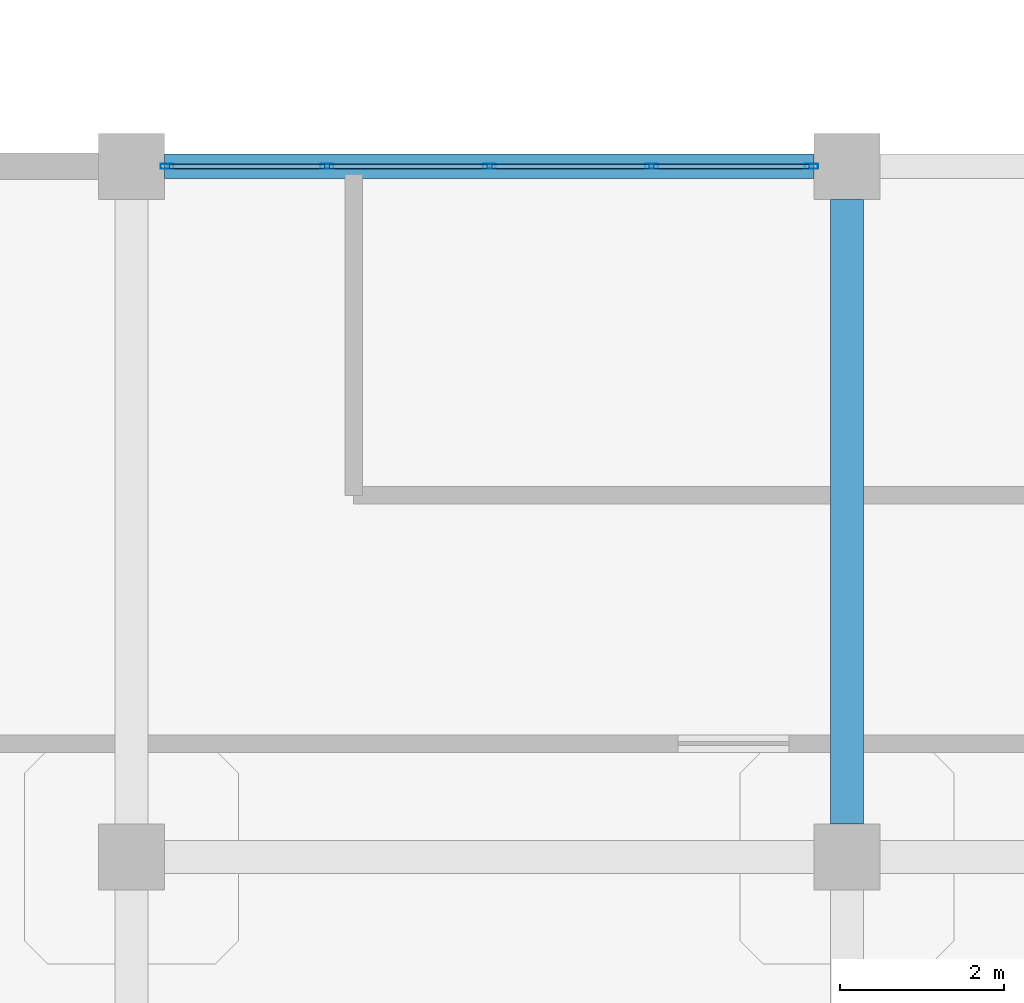
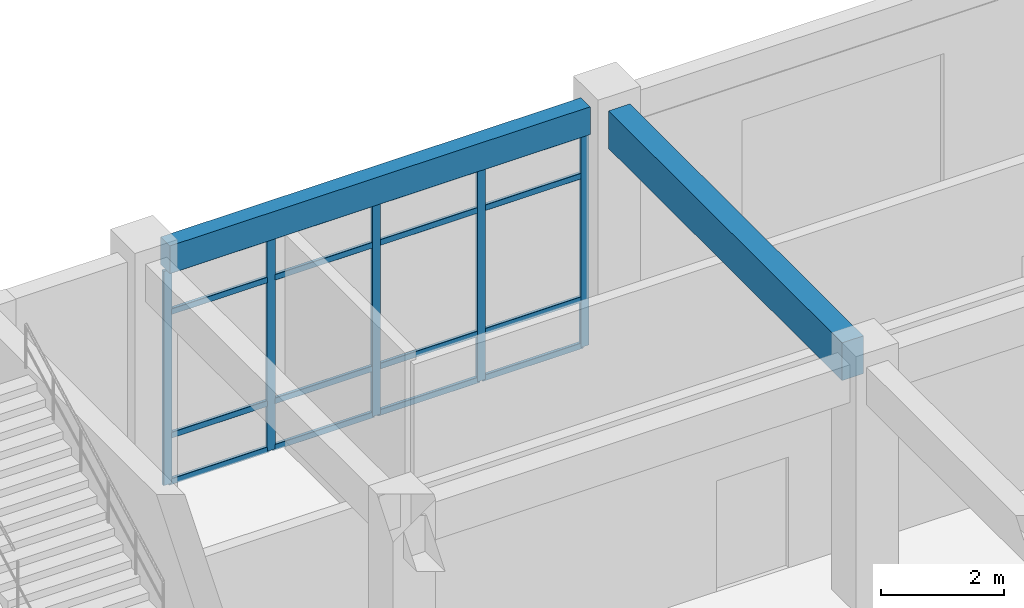
# One storey, part 18 of 96: 21 members, 2 beams, 1 element without a shape of its own.
"""IFC4 building model written with IfcOpenShell, lengths in metres."""

from ifc_helpers import new_model, si_unit, derived_unit, direction, frame, origin, origin_2d, place, context, subcontext, project, spatial, rectangle, hollow_rectangle, extrude, material, layer, layer_set, material_profile, profile_set, type_object, element, aggregate, save


model = new_model("IFC4")

# Units and contexts
model_context = context("Model", 3, precision=1e-05, world=origin(), true_north=direction((0.0, 1.0)))
body_context = subcontext(model_context, "Body", "Model", "MODEL_VIEW")
ifc_project = project(units=[si_unit("LENGTHUNIT", "METRE"), si_unit("AREAUNIT", "SQUARE_METRE"), si_unit("VOLUMEUNIT", "CUBIC_METRE"), si_unit("PLANEANGLEUNIT", "RADIAN"), si_unit("MASSUNIT", "GRAM", prefix="KILO"), derived_unit("THERMALTRANSMITTANCEUNIT", [(si_unit("MASSUNIT", "GRAM", prefix="KILO"), 1), (si_unit("TIMEUNIT", "SECOND"), -3), (si_unit("THERMODYNAMICTEMPERATUREUNIT", "KELVIN"), -1)])], contexts=[model_context])

# Site, building, storey
site_placement = place(None, origin())
site = spatial("IfcSite", under=ifc_project, at=site_placement, CompositionType="ELEMENT")
building_placement = place(site_placement, origin())
building = spatial("IfcBuilding", under=site, at=building_placement, Name="Qinzheling Arcade Emporium", CompositionType="ELEMENT")
storey_placement = place(building_placement, frame((0.0, 0.0, 21.60009765625)))
storey = spatial("IfcBuildingStorey", under=building, at=storey_placement, Name="L05", CompositionType="ELEMENT", Elevation=21.60009765625)

# Curtain wall, members
ifc_material_1 = material(Name="Anodised aluminium and solar-control double glazing", Category="aluminium")
ifc_layer = layer(ifc_material_1, 0.159912109375, Name="Anodised aluminium and solar-control double glazing", Category="aluminium")
ifc_layer_set = layer_set([ifc_layer], Name="Anodised aluminium and solar-control double glazing")
curtain_wall_type = type_object("IfcCurtainWallType", Name="Atrium Clerestory Curtain Wall", PredefinedType="NOTDEFINED", material=ifc_layer_set)
curtain_wall_placement = place(storey_placement, origin())
curtain_wall = element("IfcCurtainWall", 1, at=curtain_wall_placement, inside=storey, type_object=curtain_wall_type, Name="Curtain Wall CW-L05-314", PredefinedType="NOTDEFINED")
ifc_material_2 = material(Name="Anodised aluminium 6063-T6", Category="aluminium")
ifc_material_profile_1 = material_profile(ifc_material_2, hollow_rectangle(XDim=0.06005859375, YDim=0.159912109375, WallThickness=0.00390625, InnerFilletRadius=0.00390625, OuterFilletRadius=0.008056640625, at=origin_2d()), Name="RHS 160x60x4", Category="aluminium")
ifc_profile_set_1 = profile_set([ifc_material_profile_1], Name="Anodised aluminium 6063-T6")
member_type_1 = type_object("IfcMemberType", Name="Curtain Wall Mullion RHS160x60", PredefinedType="MULLION", material=ifc_profile_set_1)
member_1_placement = place(storey_placement, frame((9.132080078125, 42.0, 0.0), z_axis=(0.0, 0.0, 1.0), x_axis=(0.0, 1.0, 0.0)))
member_1 = element("IfcMember", 2, at=member_1_placement, type_object=member_type_1, Name="CW03 mullion 1", PredefinedType="MULLION", context=body_context, shape_type="SweptSolid", body=[
    extrude(hollow_rectangle(XDim=0.06005859375, YDim=0.159912109375, WallThickness=0.00390625, InnerFilletRadius=0.00390625, OuterFilletRadius=0.008056640625, at=origin_2d()), origin(), (0.0, 0.0, 1.0), 4.2548828125),
])
member_2_placement = place(storey_placement, frame((11.075927734375, 42.0, 0.0), z_axis=(0.0, 0.0, 1.0), x_axis=(0.0, 1.0, 0.0)))
member_2 = element("IfcMember", 3, at=member_2_placement, type_object=member_type_1, Name="CW03 mullion 2", PredefinedType="MULLION", context=body_context, shape_type="SweptSolid", body=[
    extrude(hollow_rectangle(XDim=0.06005859375, YDim=0.159912109375, WallThickness=0.00390625, InnerFilletRadius=0.00390625, OuterFilletRadius=0.008056640625, at=origin_2d()), origin(), (0.0, 0.0, 1.0), 4.2548828125),
])
member_3_placement = place(storey_placement, frame((13.050048828125, 42.0, 0.0), z_axis=(0.0, 0.0, 1.0), x_axis=(0.0, 1.0, 0.0)))
member_3 = element("IfcMember", 4, at=member_3_placement, type_object=member_type_1, Name="CW03 mullion 3", PredefinedType="MULLION", context=body_context, shape_type="SweptSolid", body=[
    extrude(hollow_rectangle(XDim=0.06005859375, YDim=0.159912109375, WallThickness=0.00390625, InnerFilletRadius=0.00390625, OuterFilletRadius=0.008056640625, at=origin_2d()), origin(), (0.0, 0.0, 1.0), 4.2548828125),
])
member_4_placement = place(storey_placement, frame((15.02392578125, 42.0, 0.0), z_axis=(0.0, 0.0, 1.0), x_axis=(0.0, 1.0, 0.0)))
member_4 = element("IfcMember", 5, at=member_4_placement, type_object=member_type_1, Name="CW03 mullion 4", PredefinedType="MULLION", context=body_context, shape_type="SweptSolid", body=[
    extrude(hollow_rectangle(XDim=0.06005859375, YDim=0.159912109375, WallThickness=0.00390625, InnerFilletRadius=0.00390625, OuterFilletRadius=0.008056640625, at=origin_2d()), origin(), (0.0, 0.0, 1.0), 4.2548828125),
])
member_5_placement = place(storey_placement, frame((16.968017578125, 42.0, 0.0), z_axis=(0.0, 0.0, 1.0), x_axis=(0.0, 1.0, 0.0)))
member_5 = element("IfcMember", 6, at=member_5_placement, type_object=member_type_1, Name="CW03 mullion 5", PredefinedType="MULLION", context=body_context, shape_type="SweptSolid", body=[
    extrude(hollow_rectangle(XDim=0.06005859375, YDim=0.159912109375, WallThickness=0.00390625, InnerFilletRadius=0.00390625, OuterFilletRadius=0.008056640625, at=origin_2d()), origin(), (0.0, 0.0, 1.0), 4.2548828125),
])
ifc_material_profile_2 = material_profile(ifc_material_2, hollow_rectangle(XDim=0.06005859375, YDim=0.1201171875, WallThickness=0.00390625, InnerFilletRadius=0.00390625, OuterFilletRadius=0.008056640625, at=origin_2d()), Name="RHS 120x60x4", Category="aluminium")
ifc_profile_set_2 = profile_set([ifc_material_profile_2], Name="Anodised aluminium 6063-T6")
member_type_2 = type_object("IfcMemberType", Name="Curtain Wall Transom RHS120x60", PredefinedType="USERDEFINED", material=ifc_profile_set_2)
member_6_placement = place(storey_placement, frame((9.162109375, 42.0, 0.02978515625), z_axis=(1.0, 0.0, 0.0), x_axis=(0.0, 1.0, 0.0)))
member_6 = element("IfcMember", 7, at=member_6_placement, type_object=member_type_2, Name="CW03 transom 1.1", ObjectType="TRANSOM", PredefinedType="USERDEFINED", context=body_context, shape_type="SweptSolid", body=[
    extrude(hollow_rectangle(XDim=0.06005859375, YDim=0.1201171875, WallThickness=0.00390625, InnerFilletRadius=0.00390625, OuterFilletRadius=0.008056640625, at=origin_2d()), origin(), (0.0, 0.0, 1.0), 1.8837890625),
])
member_7_placement = place(storey_placement, frame((9.162109375, 42.0, 0.949951171875), z_axis=(1.0, 0.0, 0.0), x_axis=(0.0, 1.0, 0.0)))
member_7 = element("IfcMember", 8, at=member_7_placement, type_object=member_type_2, Name="CW03 transom 1.2", ObjectType="TRANSOM", PredefinedType="USERDEFINED", context=body_context, shape_type="SweptSolid", body=[
    extrude(hollow_rectangle(XDim=0.06005859375, YDim=0.1201171875, WallThickness=0.00390625, InnerFilletRadius=0.00390625, OuterFilletRadius=0.008056640625, at=origin_2d()), origin(), (0.0, 0.0, 1.0), 1.8837890625),
])
member_8_placement = place(storey_placement, frame((9.162109375, 42.0, 3.40478515625), z_axis=(1.0, 0.0, 0.0), x_axis=(0.0, 1.0, 0.0)))
member_8 = element("IfcMember", 9, at=member_8_placement, type_object=member_type_2, Name="CW03 transom 1.3", ObjectType="TRANSOM", PredefinedType="USERDEFINED", context=body_context, shape_type="SweptSolid", body=[
    extrude(hollow_rectangle(XDim=0.06005859375, YDim=0.1201171875, WallThickness=0.00390625, InnerFilletRadius=0.00390625, OuterFilletRadius=0.008056640625, at=origin_2d()), origin(), (0.0, 0.0, 1.0), 1.8837890625),
])
member_9_placement = place(storey_placement, frame((9.162109375, 42.0, 4.224853515625), z_axis=(1.0, 0.0, 0.0), x_axis=(0.0, 1.0, 0.0)))
member_9 = element("IfcMember", 10, at=member_9_placement, type_object=member_type_2, Name="CW03 transom 1.4", ObjectType="TRANSOM", PredefinedType="USERDEFINED", context=body_context, shape_type="SweptSolid", body=[
    extrude(hollow_rectangle(XDim=0.06005859375, YDim=0.1201171875, WallThickness=0.00390625, InnerFilletRadius=0.00390625, OuterFilletRadius=0.008056640625, at=origin_2d()), origin(), (0.0, 0.0, 1.0), 1.8837890625),
])
member_10_placement = place(storey_placement, frame((11.10595703125, 42.0, 0.02978515625), z_axis=(1.0, 0.0, 0.0), x_axis=(0.0, 1.0, 0.0)))
member_10 = element("IfcMember", 11, at=member_10_placement, type_object=member_type_2, Name="CW03 transom 2.1", ObjectType="TRANSOM", PredefinedType="USERDEFINED", context=body_context, shape_type="SweptSolid", body=[
    extrude(hollow_rectangle(XDim=0.06005859375, YDim=0.1201171875, WallThickness=0.00390625, InnerFilletRadius=0.00390625, OuterFilletRadius=0.008056640625, at=origin_2d()), origin(), (0.0, 0.0, 1.0), 1.9140625),
])
member_11_placement = place(storey_placement, frame((11.10595703125, 42.0, 0.949951171875), z_axis=(1.0, 0.0, 0.0), x_axis=(0.0, 1.0, 0.0)))
member_11 = element("IfcMember", 12, at=member_11_placement, type_object=member_type_2, Name="CW03 transom 2.2", ObjectType="TRANSOM", PredefinedType="USERDEFINED", context=body_context, shape_type="SweptSolid", body=[
    extrude(hollow_rectangle(XDim=0.06005859375, YDim=0.1201171875, WallThickness=0.00390625, InnerFilletRadius=0.00390625, OuterFilletRadius=0.008056640625, at=origin_2d()), origin(), (0.0, 0.0, 1.0), 1.9140625),
])
member_12_placement = place(storey_placement, frame((11.10595703125, 42.0, 3.40478515625), z_axis=(1.0, 0.0, 0.0), x_axis=(0.0, 1.0, 0.0)))
member_12 = element("IfcMember", 13, at=member_12_placement, type_object=member_type_2, Name="CW03 transom 2.3", ObjectType="TRANSOM", PredefinedType="USERDEFINED", context=body_context, shape_type="SweptSolid", body=[
    extrude(hollow_rectangle(XDim=0.06005859375, YDim=0.1201171875, WallThickness=0.00390625, InnerFilletRadius=0.00390625, OuterFilletRadius=0.008056640625, at=origin_2d()), origin(), (0.0, 0.0, 1.0), 1.9140625),
])
member_13_placement = place(storey_placement, frame((11.10595703125, 42.0, 4.224853515625), z_axis=(1.0, 0.0, 0.0), x_axis=(0.0, 1.0, 0.0)))
member_13 = element("IfcMember", 14, at=member_13_placement, type_object=member_type_2, Name="CW03 transom 2.4", ObjectType="TRANSOM", PredefinedType="USERDEFINED", context=body_context, shape_type="SweptSolid", body=[
    extrude(hollow_rectangle(XDim=0.06005859375, YDim=0.1201171875, WallThickness=0.00390625, InnerFilletRadius=0.00390625, OuterFilletRadius=0.008056640625, at=origin_2d()), origin(), (0.0, 0.0, 1.0), 1.9140625),
])
member_14_placement = place(storey_placement, frame((13.080078125, 42.0, 0.02978515625), z_axis=(1.0, 0.0, 0.0), x_axis=(0.0, 1.0, 0.0)))
member_14 = element("IfcMember", 15, at=member_14_placement, type_object=member_type_2, Name="CW03 transom 3.1", ObjectType="TRANSOM", PredefinedType="USERDEFINED", context=body_context, shape_type="SweptSolid", body=[
    extrude(hollow_rectangle(XDim=0.06005859375, YDim=0.1201171875, WallThickness=0.00390625, InnerFilletRadius=0.00390625, OuterFilletRadius=0.008056640625, at=origin_2d()), origin(), (0.0, 0.0, 1.0), 1.913818359375),
])
member_15_placement = place(storey_placement, frame((13.080078125, 42.0, 0.949951171875), z_axis=(1.0, 0.0, 0.0), x_axis=(0.0, 1.0, 0.0)))
member_15 = element("IfcMember", 16, at=member_15_placement, type_object=member_type_2, Name="CW03 transom 3.2", ObjectType="TRANSOM", PredefinedType="USERDEFINED", context=body_context, shape_type="SweptSolid", body=[
    extrude(hollow_rectangle(XDim=0.06005859375, YDim=0.1201171875, WallThickness=0.00390625, InnerFilletRadius=0.00390625, OuterFilletRadius=0.008056640625, at=origin_2d()), origin(), (0.0, 0.0, 1.0), 1.913818359375),
])
member_16_placement = place(storey_placement, frame((13.080078125, 42.0, 3.40478515625), z_axis=(1.0, 0.0, 0.0), x_axis=(0.0, 1.0, 0.0)))
member_16 = element("IfcMember", 17, at=member_16_placement, type_object=member_type_2, Name="CW03 transom 3.3", ObjectType="TRANSOM", PredefinedType="USERDEFINED", context=body_context, shape_type="SweptSolid", body=[
    extrude(hollow_rectangle(XDim=0.06005859375, YDim=0.1201171875, WallThickness=0.00390625, InnerFilletRadius=0.00390625, OuterFilletRadius=0.008056640625, at=origin_2d()), origin(), (0.0, 0.0, 1.0), 1.913818359375),
])
member_17_placement = place(storey_placement, frame((13.080078125, 42.0, 4.224853515625), z_axis=(1.0, 0.0, 0.0), x_axis=(0.0, 1.0, 0.0)))
member_17 = element("IfcMember", 18, at=member_17_placement, type_object=member_type_2, Name="CW03 transom 3.4", ObjectType="TRANSOM", PredefinedType="USERDEFINED", context=body_context, shape_type="SweptSolid", body=[
    extrude(hollow_rectangle(XDim=0.06005859375, YDim=0.1201171875, WallThickness=0.00390625, InnerFilletRadius=0.00390625, OuterFilletRadius=0.008056640625, at=origin_2d()), origin(), (0.0, 0.0, 1.0), 1.913818359375),
])
member_18_placement = place(storey_placement, frame((15.053955078125, 42.0, 0.02978515625), z_axis=(1.0, 0.0, 0.0), x_axis=(0.0, 1.0, 0.0)))
member_18 = element("IfcMember", 19, at=member_18_placement, type_object=member_type_2, Name="CW03 transom 4.1", ObjectType="TRANSOM", PredefinedType="USERDEFINED", context=body_context, shape_type="SweptSolid", body=[
    extrude(hollow_rectangle(XDim=0.06005859375, YDim=0.1201171875, WallThickness=0.00390625, InnerFilletRadius=0.00390625, OuterFilletRadius=0.008056640625, at=origin_2d()), origin(), (0.0, 0.0, 1.0), 1.884033203125),
])
member_19_placement = place(storey_placement, frame((15.053955078125, 42.0, 0.949951171875), z_axis=(1.0, 0.0, 0.0), x_axis=(0.0, 1.0, 0.0)))
member_19 = element("IfcMember", 20, at=member_19_placement, type_object=member_type_2, Name="CW03 transom 4.2", ObjectType="TRANSOM", PredefinedType="USERDEFINED", context=body_context, shape_type="SweptSolid", body=[
    extrude(hollow_rectangle(XDim=0.06005859375, YDim=0.1201171875, WallThickness=0.00390625, InnerFilletRadius=0.00390625, OuterFilletRadius=0.008056640625, at=origin_2d()), origin(), (0.0, 0.0, 1.0), 1.884033203125),
])
member_20_placement = place(storey_placement, frame((15.053955078125, 42.0, 3.40478515625), z_axis=(1.0, 0.0, 0.0), x_axis=(0.0, 1.0, 0.0)))
member_20 = element("IfcMember", 21, at=member_20_placement, type_object=member_type_2, Name="CW03 transom 4.3", ObjectType="TRANSOM", PredefinedType="USERDEFINED", context=body_context, shape_type="SweptSolid", body=[
    extrude(hollow_rectangle(XDim=0.06005859375, YDim=0.1201171875, WallThickness=0.00390625, InnerFilletRadius=0.00390625, OuterFilletRadius=0.008056640625, at=origin_2d()), origin(), (0.0, 0.0, 1.0), 1.884033203125),
])
member_21_placement = place(storey_placement, frame((15.053955078125, 42.0, 4.224853515625), z_axis=(1.0, 0.0, 0.0), x_axis=(0.0, 1.0, 0.0)))
member_21 = element("IfcMember", 22, at=member_21_placement, type_object=member_type_2, Name="CW03 transom 4.4", ObjectType="TRANSOM", PredefinedType="USERDEFINED", context=body_context, shape_type="SweptSolid", body=[
    extrude(hollow_rectangle(XDim=0.06005859375, YDim=0.1201171875, WallThickness=0.00390625, InnerFilletRadius=0.00390625, OuterFilletRadius=0.008056640625, at=origin_2d()), origin(), (0.0, 0.0, 1.0), 1.884033203125),
])
aggregate(curtain_wall, [member_1, member_2, member_3, member_4, member_5, member_6, member_7, member_8, member_9, member_10, member_11, member_12, member_13, member_14, member_15, member_16, member_17, member_18, member_19, member_20, member_21])

# Beams
ifc_material_3 = material(Name="Concrete C40", Category="concrete")
ifc_material_profile_3 = material_profile(ifc_material_3, rectangle(XDim=0.39990234375, YDim=0.75, at=origin_2d()), Name="RC 400x750", Category="concrete")
ifc_profile_set_3 = profile_set([ifc_material_profile_3], Name="Concrete C40")
beam_type_1 = type_object("IfcBeamType", Name="RC Interior Tie Beam 400x750 C40", PredefinedType="BEAM", material=ifc_profile_set_3)
beam_1_placement = place(storey_placement, frame((17.39990234375, 34.0, 4.44482421875), z_axis=(0.0, 1.0, 0.0), x_axis=(-1.0, 0.0, 0.0)))
element("IfcBeam", 23, at=beam_1_placement, inside=storey, type_object=beam_type_1, Name="Beam BM-L05-Y-3-E", PredefinedType="BEAM", context=body_context, shape_type="SweptSolid", body=[
    extrude(rectangle(XDim=0.39990234375, YDim=0.75, at=origin_2d()), origin(), (0.0, 0.0, 1.0), 7.60009765625),
])
ifc_material_profile_4 = material_profile(ifc_material_3, rectangle(XDim=0.300048828125, YDim=0.550048828125, at=origin_2d()), Name="RC 300x550", Category="concrete")
ifc_profile_set_4 = profile_set([ifc_material_profile_4], Name="Concrete C40")
beam_type_2 = type_object("IfcBeamType", Name="RC Terrace Spandrel Beam 300x550 C40", PredefinedType="SPANDREL", material=ifc_profile_set_4)
beam_2_placement = place(storey_placement, frame((9.10009765625, 42.0, 4.544921875), z_axis=(1.0, 0.0, 0.0), x_axis=(0.0, 1.0, 0.0)))
element("IfcBeam", 24, at=beam_2_placement, inside=storey, type_object=beam_type_2, Name="Beam BM-L05-X-F-2", PredefinedType="SPANDREL", context=body_context, shape_type="SweptSolid", body=[
    extrude(rectangle(XDim=0.300048828125, YDim=0.550048828125, at=origin_2d()), origin(), (0.0, 0.0, 1.0), 7.89990234375),
])

save(model, "model.ifc")
